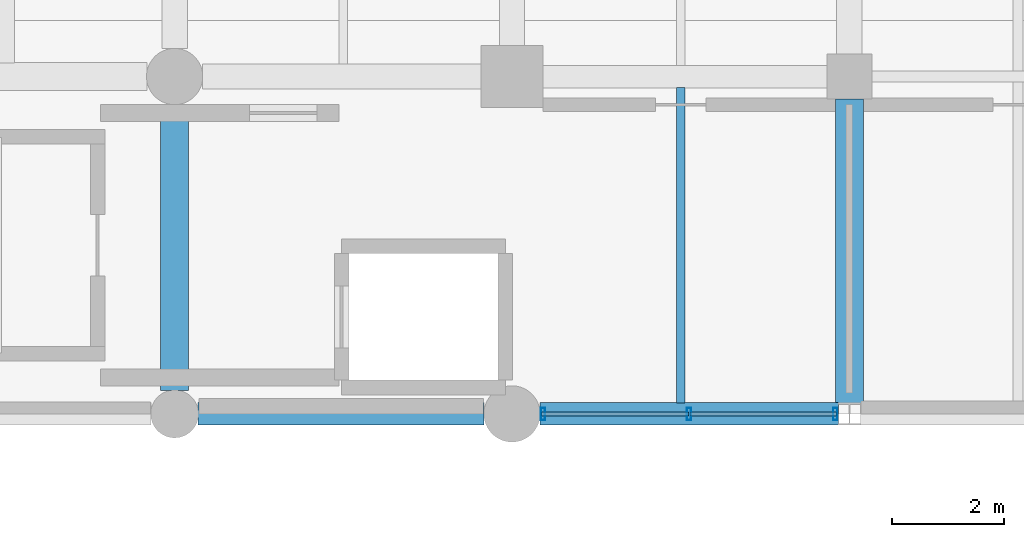
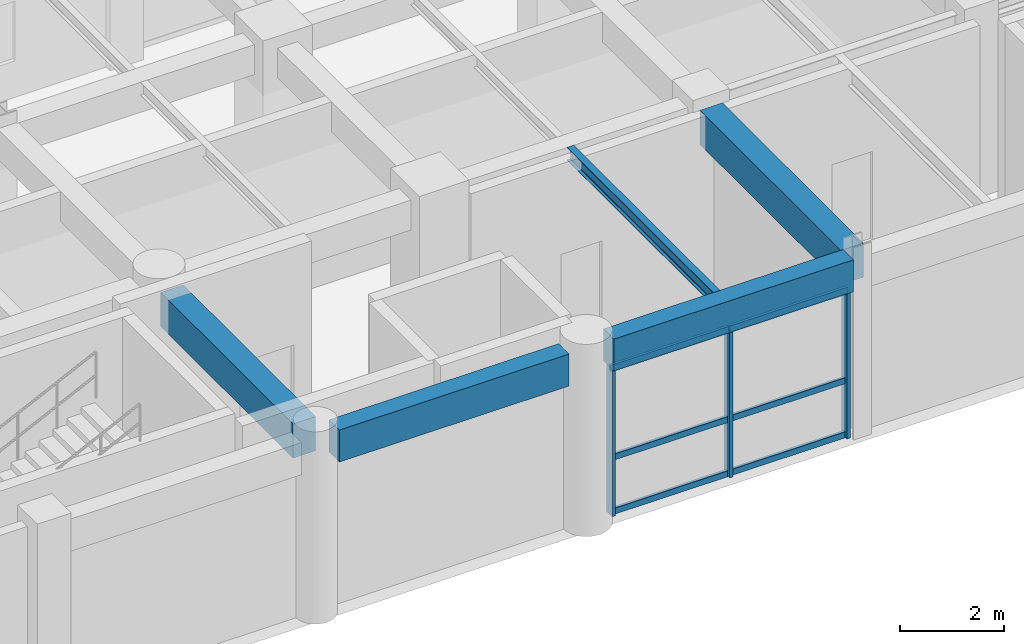
# One storey, part 51 of 133: 9 members, 5 beams, 1 element without a shape of its own.
"""IFC4 building model written with IfcOpenShell, lengths in metres."""

from ifc_helpers import new_model, si_unit, direction, frame, origin, origin_2d, place, context, subcontext, project, spatial, rectangle, hollow_rectangle, i_section, extrude, material, material_profile, profile_set, type_object, element, aggregate, save


model = new_model("IFC4")

# Units and contexts
model_context = context("Model", 3, precision=1e-05, world=origin(), true_north=direction((0.0, 1.0)))
body_context = subcontext(model_context, "Body", "Model", "MODEL_VIEW")
ifc_project = project(units=[si_unit("LENGTHUNIT", "METRE"), si_unit("AREAUNIT", "SQUARE_METRE"), si_unit("VOLUMEUNIT", "CUBIC_METRE"), si_unit("PLANEANGLEUNIT", "RADIAN"), si_unit("MASSUNIT", "GRAM", prefix="KILO"), si_unit("THERMODYNAMICTEMPERATUREUNIT", "KELVIN"), si_unit("POWERUNIT", "WATT")], contexts=[model_context])

# Site, building, storey
site_placement = place(None, origin())
site = spatial("IfcSite", under=ifc_project, at=site_placement, CompositionType="ELEMENT")
building_placement = place(site_placement, origin())
building = spatial("IfcBuilding", under=site, at=building_placement, Name="Phaisarnlok Congress Hotel", CompositionType="ELEMENT")
storey_placement = place(building_placement, frame((0.0, 0.0, 6.0)))
storey = spatial("IfcBuildingStorey", under=building, at=storey_placement, Name="L01", CompositionType="ELEMENT", Elevation=6.0)

# Beams
ifc_material_1 = material(Name="Concrete C40/50", Category="concrete")
ifc_material_profile_1 = material_profile(ifc_material_1, rectangle(XDim=0.5, YDim=0.800048828125, at=origin_2d()), Name="RC 500x800")
ifc_profile_set_1 = profile_set([ifc_material_profile_1], Name="Concrete C40/50")
beam_type_1 = type_object("IfcBeamType", Name="BM-RC-500x800", PredefinedType="BEAM", material=ifc_profile_set_1)
beam_1_placement = place(storey_placement, frame((114.0, 108.419921875, 3.820068359375), z_axis=(0.0, 1.0, 0.0), x_axis=(-1.0, 0.0, 0.0)))
element("IfcBeam", 1, at=beam_1_placement, inside=storey, type_object=beam_type_1, Name="Beam B-04", PredefinedType="BEAM", context=body_context, shape_type="SweptSolid", body=[
    extrude(rectangle(XDim=0.5, YDim=0.800048828125, at=origin_2d()), origin(), (0.0, 0.0, 1.0), 5.0849609375),
])
beam_2_placement = place(storey_placement, frame((126.0, 108.194580078125, 3.820068359375), z_axis=(0.0, 1.0, 0.0), x_axis=(-1.0, 0.0, 0.0)))
element("IfcBeam", 2, at=beam_2_placement, inside=storey, type_object=beam_type_1, Name="Beam B-04", PredefinedType="BEAM", context=body_context, shape_type="SweptSolid", body=[
    extrude(rectangle(XDim=0.5, YDim=0.800048828125, at=origin_2d()), origin(), (0.0, 0.0, 1.0), 5.410400390625),
])

# Curtain wall, members
ifc_material_2 = material(Name="Thermally Broken Unitised Aluminium & Low-E Glazing", Category="aluminium")
curtain_wall_type = type_object("IfcCurtainWallType", Name="CW-UNIT-13", PredefinedType="NOTDEFINED", material=ifc_material_2)
curtain_wall_placement = place(storey_placement, origin())
curtain_wall = element("IfcCurtainWall", 3, at=curtain_wall_placement, inside=storey, type_object=curtain_wall_type, Name="Unitised curtain wall CW-13 (L01)", PredefinedType="NOTDEFINED")
ifc_material_3 = material(Name="Anodised Aluminium Alloy 6063-T6", Category="aluminium")
ifc_material_profile_2 = material_profile(ifc_material_3, hollow_rectangle(XDim=0.074951171875, YDim=0.219970703125, WallThickness=0.0048828125, at=origin_2d()), Name="ALU-M 75x220x5")
ifc_profile_set_2 = profile_set([ifc_material_profile_2], Name="Anodised Aluminium Alloy 6063-T6")
member_type_1 = type_object("IfcMemberType", Name="CWM-220", PredefinedType="MULLION", material=ifc_profile_set_2)
member_1_placement = place(storey_placement, frame((120.550048828125, 108.0, 0.0), z_axis=(0.0, 0.0, 1.0), x_axis=(1.0, 0.0, 0.0)))
member_1 = element("IfcMember", 4, at=member_1_placement, type_object=member_type_1, Name="Curtain wall mullion CWM-02", PredefinedType="MULLION", context=body_context, shape_type="SweptSolid", body=[
    extrude(hollow_rectangle(XDim=0.074951171875, YDim=0.219970703125, WallThickness=0.0048828125, at=origin_2d()), origin(), (0.0, 0.0, 1.0), 3.469970703125),
])
member_2_placement = place(storey_placement, frame((123.149658203125, 108.0, 0.0), z_axis=(0.0, 0.0, 1.0), x_axis=(1.0, 0.0, 0.0)))
member_2 = element("IfcMember", 5, at=member_2_placement, type_object=member_type_1, Name="Curtain wall mullion CWM-02", PredefinedType="MULLION", context=body_context, shape_type="SweptSolid", body=[
    extrude(hollow_rectangle(XDim=0.074951171875, YDim=0.219970703125, WallThickness=0.0048828125, at=origin_2d()), origin(), (0.0, 0.0, 1.0), 3.469970703125),
])
member_3_placement = place(storey_placement, frame((125.74951171875, 108.0, 0.0), z_axis=(0.0, 0.0, 1.0), x_axis=(1.0, 0.0, 0.0)))
member_3 = element("IfcMember", 6, at=member_3_placement, type_object=member_type_1, Name="Curtain wall mullion CWM-02", PredefinedType="MULLION", context=body_context, shape_type="SweptSolid", body=[
    extrude(hollow_rectangle(XDim=0.074951171875, YDim=0.219970703125, WallThickness=0.0048828125, at=origin_2d()), origin(), (0.0, 0.0, 1.0), 3.469970703125),
])
ifc_material_profile_3 = material_profile(ifc_material_3, hollow_rectangle(XDim=0.06494140625, YDim=0.139892578125, WallThickness=0.00390625, at=origin_2d()), Name="ALU-T 65x140x4")
ifc_profile_set_3 = profile_set([ifc_material_profile_3], Name="Anodised Aluminium Alloy 6063-T6")
member_type_2 = type_object("IfcMemberType", Name="CWT-150", PredefinedType="USERDEFINED", material=ifc_profile_set_3)
member_4_placement = place(storey_placement, frame((120.52490234375, 108.0, 0.050048828125), z_axis=(1.0, 0.0, 0.0), x_axis=(0.0, 1.0, 0.0)))
member_4 = element("IfcMember", 7, at=member_4_placement, type_object=member_type_2, Name="Curtain wall transom CWT-01", ObjectType="TRANSOM", PredefinedType="USERDEFINED", context=body_context, shape_type="SweptSolid", body=[
    extrude(hollow_rectangle(XDim=0.06494140625, YDim=0.139892578125, WallThickness=0.00390625, at=origin_2d()), origin(), (0.0, 0.0, 1.0), 2.60986328125),
])
member_5_placement = place(storey_placement, frame((120.52490234375, 108.0, 1.318603515625), z_axis=(1.0, 0.0, 0.0), x_axis=(0.0, 1.0, 0.0)))
member_5 = element("IfcMember", 8, at=member_5_placement, type_object=member_type_2, Name="Curtain wall transom CWT-01", ObjectType="TRANSOM", PredefinedType="USERDEFINED", context=body_context, shape_type="SweptSolid", body=[
    extrude(hollow_rectangle(XDim=0.06494140625, YDim=0.139892578125, WallThickness=0.00390625, at=origin_2d()), origin(), (0.0, 0.0, 1.0), 2.60986328125),
])
member_6_placement = place(storey_placement, frame((120.52490234375, 108.0, 3.419921875), z_axis=(1.0, 0.0, 0.0), x_axis=(0.0, 1.0, 0.0)))
member_6 = element("IfcMember", 9, at=member_6_placement, type_object=member_type_2, Name="Curtain wall transom CWT-01", ObjectType="TRANSOM", PredefinedType="USERDEFINED", context=body_context, shape_type="SweptSolid", body=[
    extrude(hollow_rectangle(XDim=0.06494140625, YDim=0.139892578125, WallThickness=0.00390625, at=origin_2d()), origin(), (0.0, 0.0, 1.0), 2.60986328125),
])
member_7_placement = place(storey_placement, frame((123.164794921875, 108.0, 0.050048828125), z_axis=(1.0, 0.0, 0.0), x_axis=(0.0, 1.0, 0.0)))
member_7 = element("IfcMember", 10, at=member_7_placement, type_object=member_type_2, Name="Curtain wall transom CWT-01", ObjectType="TRANSOM", PredefinedType="USERDEFINED", context=body_context, shape_type="SweptSolid", body=[
    extrude(hollow_rectangle(XDim=0.06494140625, YDim=0.139892578125, WallThickness=0.00390625, at=origin_2d()), origin(), (0.0, 0.0, 1.0), 2.609619140625),
])
member_8_placement = place(storey_placement, frame((123.164794921875, 108.0, 1.318603515625), z_axis=(1.0, 0.0, 0.0), x_axis=(0.0, 1.0, 0.0)))
member_8 = element("IfcMember", 11, at=member_8_placement, type_object=member_type_2, Name="Curtain wall transom CWT-01", ObjectType="TRANSOM", PredefinedType="USERDEFINED", context=body_context, shape_type="SweptSolid", body=[
    extrude(hollow_rectangle(XDim=0.06494140625, YDim=0.139892578125, WallThickness=0.00390625, at=origin_2d()), origin(), (0.0, 0.0, 1.0), 2.609619140625),
])
member_9_placement = place(storey_placement, frame((123.164794921875, 108.0, 3.419921875), z_axis=(1.0, 0.0, 0.0), x_axis=(0.0, 1.0, 0.0)))
member_9 = element("IfcMember", 12, at=member_9_placement, type_object=member_type_2, Name="Curtain wall transom CWT-01", ObjectType="TRANSOM", PredefinedType="USERDEFINED", context=body_context, shape_type="SweptSolid", body=[
    extrude(hollow_rectangle(XDim=0.06494140625, YDim=0.139892578125, WallThickness=0.00390625, at=origin_2d()), origin(), (0.0, 0.0, 1.0), 2.609619140625),
])
aggregate(curtain_wall, [member_1, member_2, member_3, member_4, member_5, member_6, member_7, member_8, member_9])

# Beams
ifc_material_4 = material(Name="Steel S355", Category="steel")
ifc_material_profile_4 = material_profile(ifc_material_4, i_section(OverallWidth=0.14990234375, OverallDepth=0.300048828125, WebThickness=0.007080078125, FlangeThickness=0.0107421875, FilletRadius=0.014892578125, at=origin_2d()), Name="IPE 300")
ifc_profile_set_4 = profile_set([ifc_material_profile_4], Name="Steel S355")
beam_type_2 = type_object("IfcBeamType", Name="JS-STL-IPE300", PredefinedType="JOIST", material=ifc_profile_set_4)
beam_3_placement = place(storey_placement, frame((123.0, 108.195068359375, 4.070068359375), z_axis=(0.0, 1.0, 0.0), x_axis=(-1.0, 0.0, 0.0)))
element("IfcBeam", 13, at=beam_3_placement, inside=storey, type_object=beam_type_2, Name="Secondary floor joist J-03", PredefinedType="JOIST", context=body_context, shape_type="SweptSolid", body=[
    extrude(i_section(OverallWidth=0.14990234375, OverallDepth=0.300048828125, WebThickness=0.007080078125, FlangeThickness=0.0107421875, FilletRadius=0.014892578125, at=origin_2d()), origin(), (0.0, 0.0, 1.0), 5.60986328125),
])
ifc_material_profile_5 = material_profile(ifc_material_1, rectangle(XDim=0.39990234375, YDim=0.75, at=origin_2d()), Name="RC 400x750")
ifc_profile_set_5 = profile_set([ifc_material_profile_5], Name="Concrete C40/50")
beam_type_3 = type_object("IfcBeamType", Name="SP-RC-400x750", PredefinedType="SPANDREL", material=ifc_profile_set_5)
beam_4_placement = place(storey_placement, frame((114.419921875, 108.0, 3.844970703125), z_axis=(1.0, 0.0, 0.0), x_axis=(0.0, 1.0, 0.0)))
element("IfcBeam", 14, at=beam_4_placement, inside=storey, type_object=beam_type_3, Name="Beam SP-02", PredefinedType="SPANDREL", context=body_context, shape_type="SweptSolid", body=[
    extrude(rectangle(XDim=0.39990234375, YDim=0.75, at=origin_2d()), origin(), (0.0, 0.0, 1.0), 5.0849609375),
])
beam_5_placement = place(storey_placement, frame((120.4951171875, 108.0, 3.844970703125), z_axis=(1.0, 0.0, 0.0), x_axis=(0.0, 1.0, 0.0)))
element("IfcBeam", 15, at=beam_5_placement, inside=storey, type_object=beam_type_3, Name="Beam SP-02", PredefinedType="SPANDREL", context=body_context, shape_type="SweptSolid", body=[
    extrude(rectangle(XDim=0.39990234375, YDim=0.75, at=origin_2d()), origin(), (0.0, 0.0, 1.0), 5.309326171875),
])

save(model, "model.ifc")
